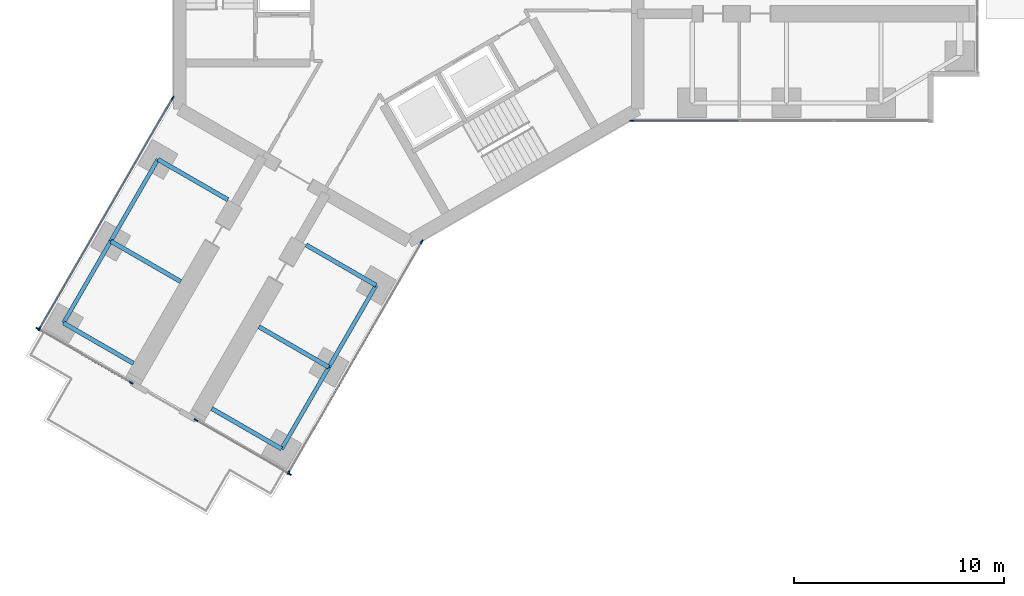
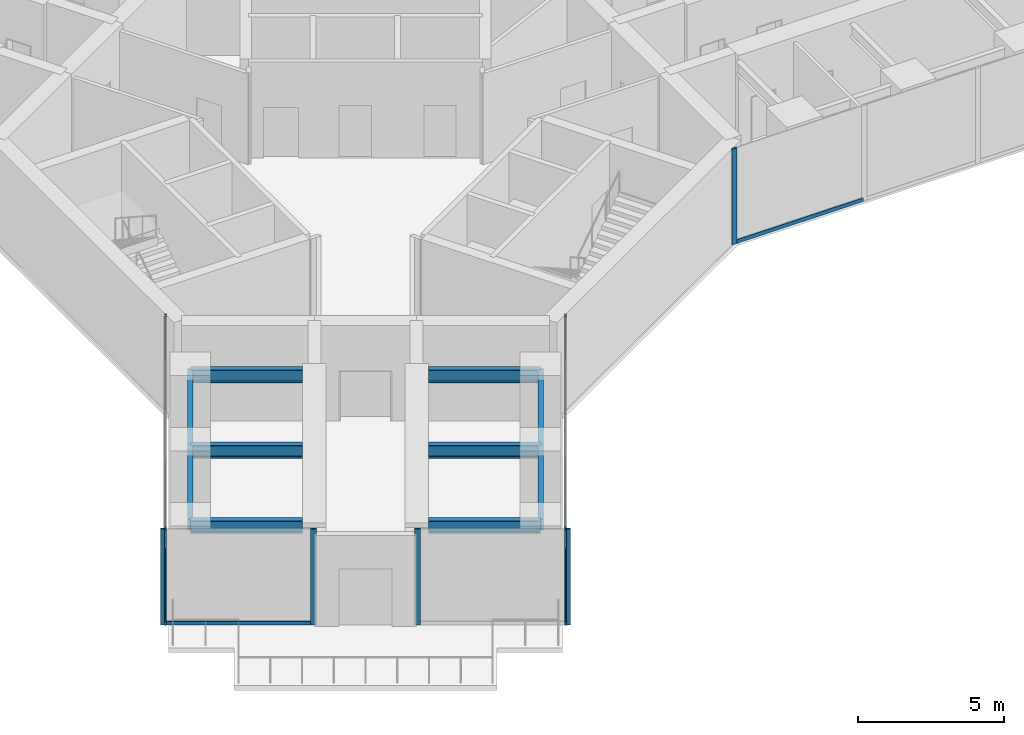
# One storey, part 2 of 22: 13 members, 10 beams, 5 elements without a shape of their own.
"""IFC4 building model written with IfcOpenShell, lengths in metres."""

import ifcopenshell
import ifcopenshell.guid

model = None  # the IFC model being written
_history = None  # IfcOwnerHistory: only IFC2X3 demands one
_inside = {}  # id of a spatial element -> (the spatial element, [elements in it])
_under = {}  # id of a project, library or spatial element -> (it, [spatial elements below it])
_declared = {}  # id of a project -> (the project, [libraries it declares])
_typed = {}  # id of a type object -> (the type object, [elements of that type])
_made_of = {}  # id of a material, layer set ... -> (it, [elements and type objects made of it])


def new_model(schema):
    """Start an empty IFC model of exactly this schema.

    Asked for "IFC4X3", IfcOpenShell would pick the latest addendum, in which some entities
    have other attributes; the version numbers below select the first issue.
    IFC2X3 requires an IfcOwnerHistory on every rooted entity: one is made here for all.
    """
    global model, _history
    if schema == "IFC4X3":
        model = ifcopenshell.file(schema_version=(4, 3, 0, 0))
    else:
        model = ifcopenshell.file(schema=schema)
    _inside.clear()
    _under.clear()
    _declared.clear()
    _typed.clear()
    _made_of.clear()
    _history = None
    if model.schema == "IFC2X3":
        org = make("IfcOrganization", Name="unknown")
        user = make(
            "IfcPersonAndOrganization",
            ThePerson=make("IfcPerson", FamilyName="unknown"),
            TheOrganization=org,
        )
        app = make(
            "IfcApplication",
            ApplicationDeveloper=org,
            Version="unknown",
            ApplicationFullName="unknown",
            ApplicationIdentifier="unknown",
        )
        _history = make(
            "IfcOwnerHistory",
            OwningUser=user,
            OwningApplication=app,
            ChangeAction="ADDED",
            CreationDate=0,
        )
    return model


def make(cls, **values):
    """One entity of the class cls with the attributes given. An attribute that is None is left unset."""
    return model.create_entity(
        cls, **{name: value for name, value in values.items() if value is not None}
    )


def rooted(cls, **values):
    """An entity with a GlobalId (a new one), such as an element, a storey or a relation."""
    return make(cls, GlobalId=ifcopenshell.guid.new(), OwnerHistory=_history, **values)


def si_unit(unit_type, name, prefix=None):
    """IfcSIUnit, for example si_unit("LENGTHUNIT", "METRE", prefix="MILLI")."""
    return make("IfcSIUnit", UnitType=unit_type, Prefix=prefix, Name=name)


def assignment(units):
    """IfcUnitAssignment: the units of a project."""
    return None if units is None else make("IfcUnitAssignment", Units=units)


def point(xyz):
    """IfcCartesianPoint."""
    return None if xyz is None else make("IfcCartesianPoint", Coordinates=xyz)


def direction(xyz):
    """IfcDirection."""
    return None if xyz is None else make("IfcDirection", DirectionRatios=xyz)


def frame(location, z_axis=None, x_axis=None):
    """IfcAxis2Placement3D, a coordinate frame: its origin and axes. An axis left out is left unset."""
    return make(
        "IfcAxis2Placement3D",
        Location=point(location),
        Axis=direction(z_axis),
        RefDirection=direction(x_axis),
    )


def frame_2d(location, x_axis=None):
    """IfcAxis2Placement2D, a coordinate frame in the plane: its origin and x axis."""
    return make(
        "IfcAxis2Placement2D", Location=point(location), RefDirection=direction(x_axis)
    )


def origin():
    """The frame at (0, 0, 0) with its axes left unset."""
    return frame((0.0, 0.0, 0.0))


def origin_2d():
    """The frame at (0, 0) in the plane with its x axis left unset."""
    return frame_2d((0.0, 0.0))


def place(relative_to, where):
    """IfcLocalPlacement: puts the frame where relative to a parent placement (None: the world)."""
    return make(
        "IfcLocalPlacement", PlacementRelTo=relative_to, RelativePlacement=where
    )


def context(
    kind, dimensions, precision=None, world=None, true_north=None, identifier=None
):
    """IfcGeometricRepresentationContext, for example the 3D "Model" context."""
    return make(
        "IfcGeometricRepresentationContext",
        ContextIdentifier=identifier,
        ContextType=kind,
        CoordinateSpaceDimension=dimensions,
        Precision=precision,
        WorldCoordinateSystem=world,
        TrueNorth=true_north,
    )


def subcontext(parent, identifier, kind, view, scale=None):
    """IfcGeometricRepresentationSubContext, for example "Body" below "Model"."""
    return make(
        "IfcGeometricRepresentationSubContext",
        ContextIdentifier=identifier,
        ContextType=kind,
        ParentContext=parent,
        TargetScale=scale,
        TargetView=view,
    )


def project(units=None, contexts=None):
    """IfcProject with its units and contexts."""
    return rooted(
        "IfcProject",
        Name="project",
        RepresentationContexts=contexts,
        UnitsInContext=assignment(units),
    )


def spatial(cls, under=None, at=None, **own):
    """A site, building, storey or space (cls), placed at a placement, below another one or the project."""
    s = rooted(cls, ObjectPlacement=at, **own)
    if under is not None:
        _under.setdefault(under.id(), (under, []))[1].append(s)
    return s


def profile(cls, at=None, kind="AREA", **sizes):
    """A parametric profile (cls). Its sizes go by their IFC names, for example OverallWidth=200.0."""
    return make(cls, ProfileType=kind, Position=at, **sizes)


def rectangle(**sizes):
    """IfcRectangleProfileDef."""
    return profile("IfcRectangleProfileDef", **sizes)


def i_section(**sizes):
    """IfcIShapeProfileDef."""
    return profile("IfcIShapeProfileDef", **sizes)


def extrude(swept, where, along, depth):
    """IfcExtrudedAreaSolid: the profile swept, set in the frame where, extruded along a direction by depth."""
    return make(
        "IfcExtrudedAreaSolid",
        SweptArea=swept,
        Position=where,
        ExtrudedDirection=direction(along),
        Depth=depth,
    )


def shape(context_of_items, identifier, shape_type, items):
    """IfcShapeRepresentation: the items that make up one representation, for example the "Body"."""
    return make(
        "IfcShapeRepresentation",
        ContextOfItems=context_of_items,
        RepresentationIdentifier=identifier,
        RepresentationType=shape_type,
        Items=items,
    )


def material(Name=None, Category=None):
    """IfcMaterial."""
    return make("IfcMaterial", Name=Name, Category=Category)


def material_profile(
    of_material, cross_section, Name=None, Category=None, Priority=None
):
    """IfcMaterialProfile: a cross section and its material."""
    return make(
        "IfcMaterialProfile",
        Name=Name,
        Material=of_material,
        Profile=cross_section,
        Priority=Priority,
        Category=Category,
    )


def profile_set(profiles, Name=None, composite=None):
    """IfcMaterialProfileSet."""
    return make(
        "IfcMaterialProfileSet",
        Name=Name,
        MaterialProfiles=profiles,
        CompositeProfile=composite,
    )


def made_of(thing, what):
    """Note that an element or type object is made of a material, layer set ...; save() writes the relation."""
    if what is not None:
        _made_of.setdefault(what.id(), (what, []))[1].append(thing)
    return thing


def type_object(cls, material=None, **own):
    """A type object (cls), such as IfcWallType, which elements share."""
    return made_of(rooted(cls, **own), material)


def element(
    cls,
    number,
    at=None,
    inside=None,
    cuts=None,
    type_object=None,
    material=None,
    context=None,
    identifier="Body",
    shape_type=None,
    held_by="IfcProductDefinitionShape",
    body=None,
    shapes=None,
    **own,
):
    """One element of the class cls, such as IfcWall. Its Tag is "e" and its number.

    at: its placement. inside: the storey or other place that contains it. cuts: it is an
    opening in that element (IfcRelVoidsElement). A single representation is given by context,
    identifier, shape_type and body (its items); several are given by shapes. held_by: the class
    of the entity that holds the representations. save() writes the other relations.
    """
    e = rooted(cls, Tag="e%d" % number, ObjectPlacement=at, **own)
    if body is not None:
        shapes = [shape(context, identifier, shape_type, body)]
    if shapes is not None:
        e.Representation = make(held_by, Representations=shapes)
    if inside is not None:
        _inside.setdefault(inside.id(), (inside, []))[1].append(e)
    if cuts is not None:
        rooted(
            "IfcRelVoidsElement", RelatingBuildingElement=cuts, RelatedOpeningElement=e
        )
    if type_object is not None:
        _typed.setdefault(type_object.id(), (type_object, []))[1].append(e)
    return made_of(e, material)


def aggregate(whole, parts):
    """IfcRelAggregates: a whole, such as a stair, and the parts it consists of."""
    return rooted("IfcRelAggregates", RelatingObject=whole, RelatedObjects=parts)


def save(model, path):
    """Write the relations noted so far, then the file.

    IfcRelAggregates (storeys below a building ...), IfcRelContainedInSpatialStructure (elements
    in a storey), IfcRelDefinesByType, IfcRelAssociatesMaterial and IfcRelDeclares: one each for
    every whole, place, type object, material and project.
    """
    for whole, parts in _under.values():
        aggregate(whole, parts)
    for where, things in _inside.values():
        rooted(
            "IfcRelContainedInSpatialStructure",
            RelatedElements=things,
            RelatingStructure=where,
        )
    for kind, things in _typed.values():
        rooted("IfcRelDefinesByType", RelatedObjects=things, RelatingType=kind)
    for what, things in _made_of.values():
        rooted("IfcRelAssociatesMaterial", RelatedObjects=things, RelatingMaterial=what)
    for by, libraries in _declared.values():
        rooted("IfcRelDeclares", RelatingContext=by, RelatedDefinitions=libraries)
    model.write(path)


model = new_model("IFC4")

# Units and contexts
model_context = context("Model", 3, precision=1e-05, world=origin(), true_north=direction((0.0, 1.0)))
body_context = subcontext(model_context, "Body", "Model", "MODEL_VIEW")
ifc_project = project(units=[si_unit("LENGTHUNIT", "METRE"), si_unit("AREAUNIT", "SQUARE_METRE"), si_unit("VOLUMEUNIT", "CUBIC_METRE"), si_unit("PLANEANGLEUNIT", "RADIAN"), si_unit("MASSUNIT", "GRAM", prefix="KILO")], contexts=[model_context])

# Site, building, storey
site_placement = place(None, origin())
site = spatial("IfcSite", under=ifc_project, at=site_placement, CompositionType="ELEMENT")
building_placement = place(site_placement, origin())
building = spatial("IfcBuilding", under=site, at=building_placement, Name="Upepo Twin Towers", CompositionType="ELEMENT")
storey_placement = place(building_placement, frame((0.0, 0.0, 97.5)))
storey = spatial("IfcBuildingStorey", under=building, at=storey_placement, Name="L23", CompositionType="ELEMENT", Elevation=97.5)

# Beams
ifc_material_1 = material(Name="Steel S355", Category="steel")
ifc_material_profile_1 = material_profile(ifc_material_1, i_section(OverallWidth=0.1904296875, OverallDepth=0.45703125, WebThickness=0.009033203125, FlangeThickness=0.014404296875, FilletRadius=0.01025390625, at=origin_2d()), Name="UB 457x191x74")
ifc_profile_set_1 = profile_set([ifc_material_profile_1], Name="Steel S355")
beam_type_1 = type_object("IfcBeamType", Name="Beam UB 457x191x74", PredefinedType="BEAM", material=ifc_profile_set_1)
beam_1_placement = place(storey_placement, frame((-1.553955078125, -14.69140625, 3.571533203125), z_axis=(-0.500013631625, -0.866017533419, 0.0), x_axis=(0.866017533419, -0.500013631625, 0.0)))
element("IfcBeam", 1, at=beam_1_placement, inside=storey, type_object=beam_type_1, Name="T1 edge beam CL 13.5-18.0", PredefinedType="BEAM", context=body_context, shape_type="SweptSolid", body=[
    extrude(i_section(OverallWidth=0.1904296875, OverallDepth=0.45703125, WebThickness=0.009033203125, FlangeThickness=0.014404296875, FilletRadius=0.01025390625, at=origin_2d()), origin(), (0.0, 0.0, 1.0), 4.499755859375),
])
beam_2_placement = place(storey_placement, frame((-3.803955078125, -18.58837890625, 3.571533203125), z_axis=(-0.499990139034, -0.866031096941, 0.0), x_axis=(0.866031096941, -0.499990139034, 0.0)))
element("IfcBeam", 2, at=beam_2_placement, inside=storey, type_object=beam_type_1, Name="T1 edge beam CL 18.0-22.5", PredefinedType="BEAM", context=body_context, shape_type="SweptSolid", body=[
    extrude(i_section(OverallWidth=0.1904296875, OverallDepth=0.45703125, WebThickness=0.009033203125, FlangeThickness=0.014404296875, FilletRadius=0.01025390625, at=origin_2d()), origin(), (0.0, 0.0, 1.0), 4.5),
])
beam_3_placement = place(storey_placement, frame((-11.946044921875, -8.69140625, 3.571533203125), z_axis=(-0.500013631625, -0.866017533419, 0.0), x_axis=(0.866017533419, -0.500013631625, 0.0)))
element("IfcBeam", 3, at=beam_3_placement, inside=storey, type_object=beam_type_1, Name="T1 edge beam CR 13.5-18.0", PredefinedType="BEAM", context=body_context, shape_type="SweptSolid", body=[
    extrude(i_section(OverallWidth=0.1904296875, OverallDepth=0.45703125, WebThickness=0.009033203125, FlangeThickness=0.014404296875, FilletRadius=0.01025390625, at=origin_2d()), origin(), (0.0, 0.0, 1.0), 4.499755859375),
])
beam_4_placement = place(storey_placement, frame((-14.196044921875, -12.58837890625, 3.571533203125), z_axis=(-0.499990139034, -0.866031096941, 0.0), x_axis=(0.866031096941, -0.499990139034, 0.0)))
element("IfcBeam", 4, at=beam_4_placement, inside=storey, type_object=beam_type_1, Name="T1 edge beam CR 18.0-22.5", PredefinedType="BEAM", context=body_context, shape_type="SweptSolid", body=[
    extrude(i_section(OverallWidth=0.1904296875, OverallDepth=0.45703125, WebThickness=0.009033203125, FlangeThickness=0.014404296875, FilletRadius=0.01025390625, at=origin_2d()), origin(), (0.0, 0.0, 1.0), 4.5),
])
ifc_material_2 = material(Name="Steel S355", Category="steel")
ifc_material_profile_2 = material_profile(ifc_material_2, i_section(OverallWidth=0.209228515625, OverallDepth=0.533203125, WebThickness=0.010009765625, FlangeThickness=0.015625, FilletRadius=0.0126953125, at=origin_2d()), Name="UB 533x210x92")
ifc_profile_set_2 = profile_set([ifc_material_profile_2], Name="Steel S355")
beam_type_2 = type_object("IfcBeamType", Name="Beam UB 533x210x92", PredefinedType="BEAM", material=ifc_profile_set_2)
beam_5_placement = place(storey_placement, frame((-1.553955078125, -14.69140625, 3.533447265625), z_axis=(-0.866006051527, 0.500033517596, 0.0), x_axis=(-0.500033517596, -0.866006051527, 0.0)))
element("IfcBeam", 5, at=beam_5_placement, inside=storey, type_object=beam_type_2, Name="T1 girder CL at 13.5", PredefinedType="BEAM", context=body_context, shape_type="SweptSolid", body=[
    extrude(i_section(OverallWidth=0.209228515625, OverallDepth=0.533203125, WebThickness=0.010009765625, FlangeThickness=0.015625, FilletRadius=0.0126953125, at=origin_2d()), origin(), (0.0, 0.0, 1.0), 3.849853515625),
])
beam_6_placement = place(storey_placement, frame((-3.803955078125, -18.58837890625, 3.533447265625), z_axis=(-0.866033512162, 0.499985955615, 0.0), x_axis=(-0.499985955615, -0.866033512162, 0.0)))
element("IfcBeam", 6, at=beam_6_placement, inside=storey, type_object=beam_type_2, Name="T1 girder CL at 18.0", PredefinedType="BEAM", context=body_context, shape_type="SweptSolid", body=[
    extrude(i_section(OverallWidth=0.209228515625, OverallDepth=0.533203125, WebThickness=0.010009765625, FlangeThickness=0.015625, FilletRadius=0.0126953125, at=origin_2d()), origin(), (0.0, 0.0, 1.0), 3.849609375),
])
for number, where, z_axis, x_axis, name in (
    (7, (-6.053955078125, -22.485595703125, 3.533447265625), (-0.866006051527, 0.500033517596, 0.0), (-0.500033517596, -0.866006051527, 0.0), "T1 girder CL at 22.5"),
    (8, (-11.946044921875, -8.69140625, 3.533447265625), (0.866006051527, -0.500033517596, 0.0), (0.500033517596, 0.866006051527, 0.0), "T1 girder CR at 13.5"),
    (9, (-14.196044921875, -12.58837890625, 3.533447265625), (0.866006051527, -0.500033517596, 0.0), (0.500033517596, 0.866006051527, 0.0), "T1 girder CR at 18.0"),
    (10, (-16.446044921875, -16.485595703125, 3.533447265625), (0.866006051527, -0.500033517596, 0.0), (0.500033517596, 0.866006051527, 0.0), "T1 girder CR at 22.5"),
):
    element("IfcBeam", number, at=place(storey_placement, frame(where, z_axis=z_axis, x_axis=x_axis)), inside=storey, type_object=beam_type_2, Name=name, PredefinedType="BEAM", context=body_context, shape_type="SweptSolid", body=[
        extrude(i_section(OverallWidth=0.209228515625, OverallDepth=0.533203125, WebThickness=0.010009765625, FlangeThickness=0.015625, FilletRadius=0.0126953125, at=origin_2d()), origin(), (0.0, 0.0, 1.0), 3.849853515625),
    ])

# Curtain wall, member
ifc_material_3 = material(Name="Aluminium and fritted glass", Category="aluminium")
curtain_wall_type = type_object("IfcCurtainWallType", Name="Tower curtain wall TW2, fritted glass", PredefinedType="NOTDEFINED", material=ifc_material_3)
curtain_wall_1_placement = place(storey_placement, origin())
curtain_wall_1 = element("IfcCurtainWall", 11, at=curtain_wall_1_placement, inside=storey, type_object=curtain_wall_type, Name="T1 L23 wing A flank R curtain wall", PredefinedType="NOTDEFINED")
ifc_material_4 = material(Name="Aluminium mullion", Category="aluminium")
ifc_material_profile_3 = material_profile(ifc_material_4, rectangle(XDim=0.06494140625, YDim=0.199951171875, at=origin_2d()), Name="MULLION 65x200")
ifc_profile_set_3 = profile_set([ifc_material_profile_3], Name="Aluminium mullion")
member_type_1 = type_object("IfcMemberType", Name="Mullion 65x200 TW2", PredefinedType="MULLION", material=ifc_profile_set_3)
member_1_placement = place(storey_placement, frame((10.61962890625, -6.85009765625, 0.0), z_axis=(0.0, 0.0, 1.0), x_axis=(0.0, -1.0, 0.0)))
member_1 = element("IfcMember", 12, at=member_1_placement, type_object=member_type_1, Name="T1 L23 wing A flank R curtain wall mullion 4", PredefinedType="MULLION", context=body_context, shape_type="SweptSolid", body=[
    extrude(rectangle(XDim=0.06494140625, YDim=0.199951171875, at=origin_2d()), origin(), (0.0, 0.0, 1.0), 4.0),
])

# Curtain wall, members
curtain_wall_2_placement = place(storey_placement, origin())
curtain_wall_2 = element("IfcCurtainWall", 13, at=curtain_wall_2_placement, inside=storey, type_object=curtain_wall_type, Name="T1 L23 wing C flank L curtain wall", PredefinedType="NOTDEFINED")
member_2_placement = place(storey_placement, frame((0.62255859375, -12.621826171875, 0.0), z_axis=(0.0, 0.0, 1.0), x_axis=(0.866025399212, -0.50000000792, 0.0)))
member_2 = element("IfcMember", 14, at=member_2_placement, type_object=member_type_1, Name="T1 L23 wing C flank L curtain wall mullion 1", PredefinedType="MULLION", context=body_context, shape_type="SweptSolid", body=[
    extrude(rectangle(XDim=0.06494140625, YDim=0.199951171875, at=origin_2d()), origin(), (0.0, 0.0, 1.0), 4.0),
])
member_3_placement = place(storey_placement, frame((-5.7265625, -23.61865234375, 0.0), z_axis=(0.0, 0.0, 1.0), x_axis=(0.866025399212, -0.50000000792, 0.0)))
member_3 = element("IfcMember", 15, at=member_3_placement, type_object=member_type_1, Name="T1 L23 wing C flank L curtain wall mullion 2", PredefinedType="MULLION", context=body_context, shape_type="SweptSolid", body=[
    extrude(rectangle(XDim=0.06494140625, YDim=0.199951171875, at=origin_2d()), origin(), (0.0, 0.0, 1.0), 4.0),
])

curtain_wall_3_placement = place(storey_placement, origin())
curtain_wall_3 = element("IfcCurtainWall", 16, at=curtain_wall_3_placement, inside=storey, type_object=curtain_wall_type, Name="T1 L23 wing C flank R curtain wall", PredefinedType="NOTDEFINED")
member_4_placement = place(storey_placement, frame((-17.591064453125, -16.7685546875, 0.0), z_axis=(0.0, 0.0, 1.0), x_axis=(-0.866025399212, 0.50000000792, 0.0)))
member_4 = element("IfcMember", 17, at=member_4_placement, type_object=member_type_1, Name="T1 L23 wing C flank R curtain wall mullion 1", PredefinedType="MULLION", context=body_context, shape_type="SweptSolid", body=[
    extrude(rectangle(XDim=0.06494140625, YDim=0.199951171875, at=origin_2d()), origin(), (0.0, 0.0, 1.0), 4.0),
])
member_5_placement = place(storey_placement, frame((-11.2421875, -5.77197265625, 0.0), z_axis=(0.0, 0.0, 1.0), x_axis=(-0.866025399212, 0.50000000792, 0.0)))
member_5 = element("IfcMember", 18, at=member_5_placement, type_object=member_type_1, Name="T1 L23 wing C flank R curtain wall mullion 2", PredefinedType="MULLION", context=body_context, shape_type="SweptSolid", body=[
    extrude(rectangle(XDim=0.06494140625, YDim=0.199951171875, at=origin_2d()), origin(), (0.0, 0.0, 1.0), 4.0),
])

curtain_wall_4_placement = place(storey_placement, origin())
curtain_wall_4 = element("IfcCurtainWall", 19, at=curtain_wall_4_placement, inside=storey, type_object=curtain_wall_type, Name="T1 L23 wing C nose curtain wall 0", PredefinedType="NOTDEFINED")
member_6_placement = place(storey_placement, frame((-17.665771484375, -16.762939453125, 0.0), z_axis=(0.0, 0.0, 1.0), x_axis=(0.49999992503, 0.866025447069, 0.0)))
member_6 = element("IfcMember", 20, at=member_6_placement, type_object=member_type_1, Name="T1 L23 wing C nose curtain wall 0 mullion 1", PredefinedType="MULLION", context=body_context, shape_type="SweptSolid", body=[
    extrude(rectangle(XDim=0.06494140625, YDim=0.199951171875, at=origin_2d()), origin(), (0.0, 0.0, 1.0), 4.0),
])
member_7_placement = place(storey_placement, frame((-13.21875, -19.330322265625, 0.0), z_axis=(0.0, 0.0, 1.0), x_axis=(0.49999992503, 0.866025447069, 0.0)))
member_7 = element("IfcMember", 21, at=member_7_placement, type_object=member_type_1, Name="T1 L23 wing C nose curtain wall 0 mullion 2", PredefinedType="MULLION", context=body_context, shape_type="SweptSolid", body=[
    extrude(rectangle(XDim=0.06494140625, YDim=0.199951171875, at=origin_2d()), origin(), (0.0, 0.0, 1.0), 4.0),
])

curtain_wall_5_placement = place(storey_placement, origin())
curtain_wall_5 = element("IfcCurtainWall", 22, at=curtain_wall_5_placement, inside=storey, type_object=curtain_wall_type, Name="T1 L23 wing C nose curtain wall 2", PredefinedType="NOTDEFINED")
member_8_placement = place(storey_placement, frame((-10.13134765625, -21.113037109375, 0.0), z_axis=(0.0, 0.0, 1.0), x_axis=(0.49999992503, 0.866025447069, 0.0)))
member_8 = element("IfcMember", 23, at=member_8_placement, type_object=member_type_1, Name="T1 L23 wing C nose curtain wall 2 mullion 1", PredefinedType="MULLION", context=body_context, shape_type="SweptSolid", body=[
    extrude(rectangle(XDim=0.06494140625, YDim=0.199951171875, at=origin_2d()), origin(), (0.0, 0.0, 1.0), 4.0),
])
member_9_placement = place(storey_placement, frame((-5.684326171875, -23.680419921875, 0.0), z_axis=(0.0, 0.0, 1.0), x_axis=(0.49999992503, 0.866025447069, 0.0)))
member_9 = element("IfcMember", 24, at=member_9_placement, type_object=member_type_1, Name="T1 L23 wing C nose curtain wall 2 mullion 2", PredefinedType="MULLION", context=body_context, shape_type="SweptSolid", body=[
    extrude(rectangle(XDim=0.06494140625, YDim=0.199951171875, at=origin_2d()), origin(), (0.0, 0.0, 1.0), 4.0),
])
aggregate(curtain_wall_5, [member_8, member_9])

# Member
ifc_material_5 = material(Name="Aluminium transom", Category="aluminium")
ifc_material_profile_4 = material_profile(ifc_material_5, rectangle(XDim=0.06494140625, YDim=0.14990234375, at=origin_2d()), Name="TRANSOM 65x150")
ifc_profile_set_4 = profile_set([ifc_material_profile_4], Name="Aluminium transom")
member_type_2 = type_object("IfcMemberType", Name="Transom 65x150 TW2", PredefinedType="USERDEFINED", material=ifc_profile_set_4)
member_10_placement = place(storey_placement, frame((15.717529296875, -6.85009765625, 0.074951171875), z_axis=(-1.0, 0.0, 0.0), x_axis=(0.0, -1.0, 0.0)))
member_10 = element("IfcMember", 25, at=member_10_placement, type_object=member_type_2, Name="T1 L23 wing A flank R curtain wall transom 3", ObjectType="TRANSOM", PredefinedType="USERDEFINED", context=body_context, shape_type="SweptSolid", body=[
    extrude(rectangle(XDim=0.06494140625, YDim=0.14990234375, at=origin_2d()), origin(), (0.0, 0.0, 1.0), 5.0654296875),
])

aggregate(curtain_wall_1, [member_1, member_10])

member_11_placement = place(storey_placement, frame((0.606201171875, -12.64990234375, 0.074951171875), z_axis=(-0.499996807431, -0.866027247007, 0.0), x_axis=(0.866027247007, -0.499996807431, 0.0)))
member_11 = element("IfcMember", 26, at=member_11_placement, type_object=member_type_2, Name="T1 L23 wing C flank L curtain wall transom 1", ObjectType="TRANSOM", PredefinedType="USERDEFINED", context=body_context, shape_type="SweptSolid", body=[
    extrude(rectangle(XDim=0.06494140625, YDim=0.14990234375, at=origin_2d()), origin(), (0.0, 0.0, 1.0), 12.6328125),
])

aggregate(curtain_wall_2, [member_2, member_3, member_11])

member_12_placement = place(storey_placement, frame((-17.57470703125, -16.740478515625, 0.074951171875), z_axis=(0.499996807431, 0.866027247007, 0.0), x_axis=(-0.866027247007, 0.499996807431, 0.0)))
member_12 = element("IfcMember", 27, at=member_12_placement, type_object=member_type_2, Name="T1 L23 wing C flank R curtain wall transom 1", ObjectType="TRANSOM", PredefinedType="USERDEFINED", context=body_context, shape_type="SweptSolid", body=[
    extrude(rectangle(XDim=0.06494140625, YDim=0.14990234375, at=origin_2d()), origin(), (0.0, 0.0, 1.0), 12.6328125),
])

aggregate(curtain_wall_3, [member_4, member_5, member_12])

member_13_placement = place(storey_placement, frame((-17.6376953125, -16.779296875, 0.074951171875), z_axis=(0.866038843867, -0.499976720371, 0.0), x_axis=(0.499976720371, 0.866038843867, 0.0)))
member_13 = element("IfcMember", 28, at=member_13_placement, type_object=member_type_2, Name="T1 L23 wing C nose curtain wall 0 transom 1", ObjectType="TRANSOM", PredefinedType="USERDEFINED", context=body_context, shape_type="SweptSolid", body=[
    extrude(rectangle(XDim=0.06494140625, YDim=0.14990234375, at=origin_2d()), origin(), (0.0, 0.0, 1.0), 5.070068359375),
])

aggregate(curtain_wall_4, [member_6, member_7, member_13])

save(model, "model.ifc")
